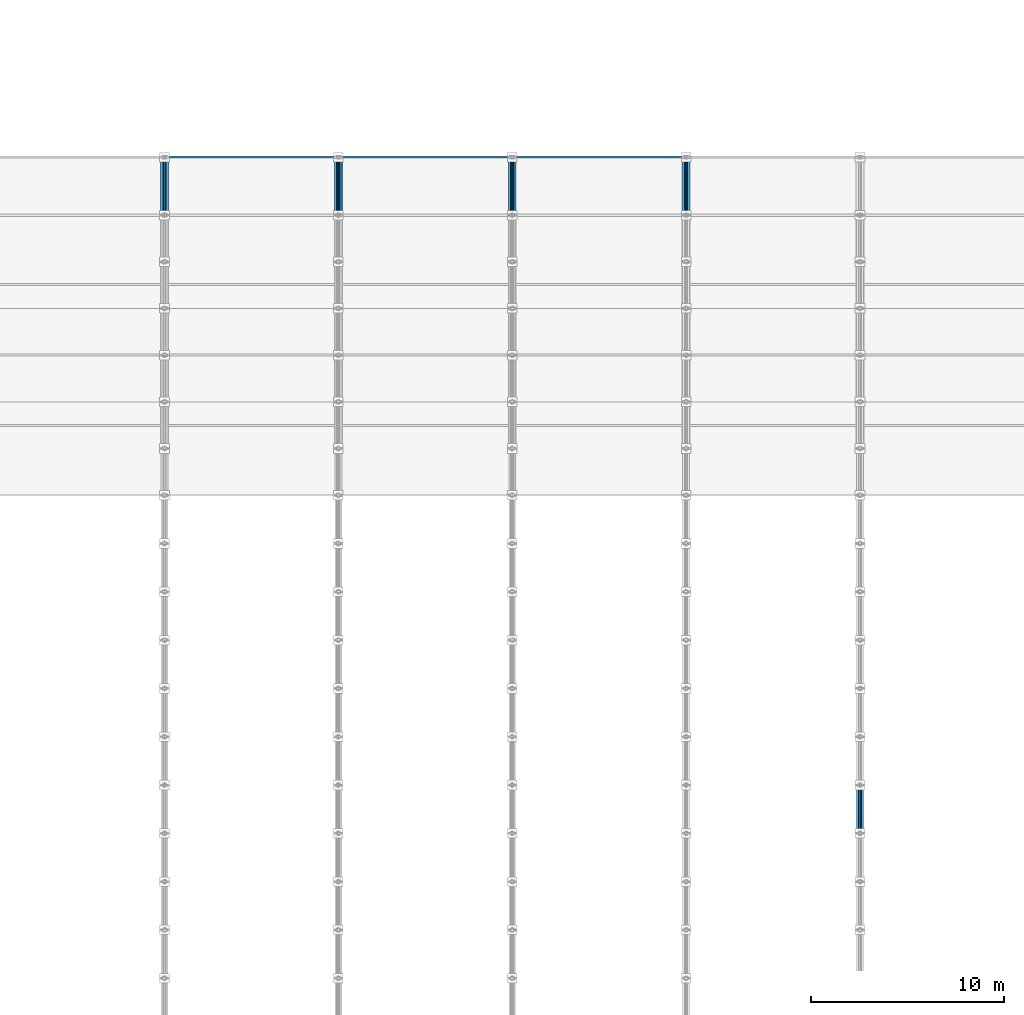
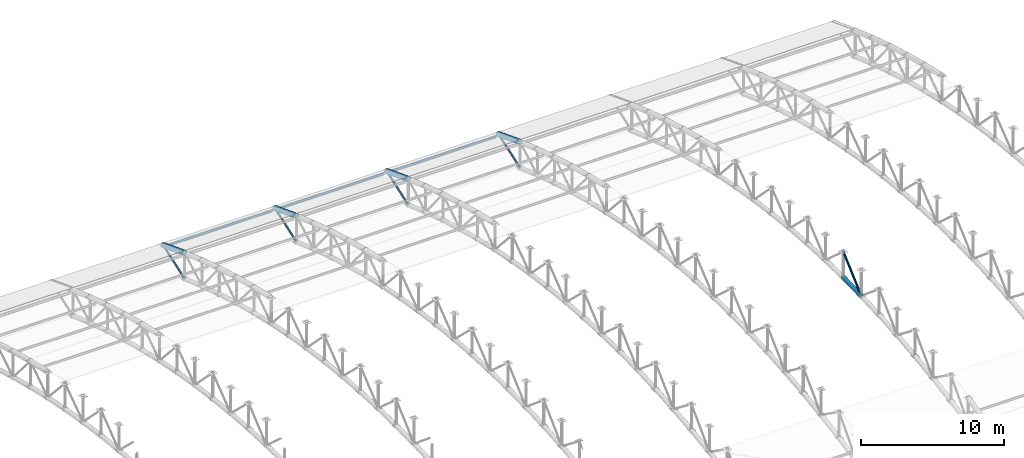
# One storey, part 87 of 195: 13 members.
"""IFC4 building model written with IfcOpenShell, lengths in metres."""

from ifc_helpers import new_model, si_unit, direction, frame, origin, origin_2d, place, context, subcontext, project, spatial, hollow_circle, i_section, extrude, material, material_profile, profile_set, type_object, element, save


model = new_model("IFC4")

# Units and contexts
model_context = context("Model", 3, precision=1e-05, world=origin(), true_north=direction((0.0, 1.0)))
body_context = subcontext(model_context, "Body", "Model", "MODEL_VIEW")
ifc_project = project(units=[si_unit("LENGTHUNIT", "METRE"), si_unit("AREAUNIT", "SQUARE_METRE"), si_unit("VOLUMEUNIT", "CUBIC_METRE"), si_unit("PLANEANGLEUNIT", "RADIAN"), si_unit("MASSUNIT", "GRAM", prefix="KILO")], contexts=[model_context])

# Site, building, storey
site_placement = place(None, origin())
site = spatial("IfcSite", under=ifc_project, at=site_placement, CompositionType="ELEMENT")
building_placement = place(site_placement, origin())
building = spatial("IfcBuilding", under=site, at=building_placement, Name="Marlcrest Central Station", CompositionType="ELEMENT")
storey_placement = place(building_placement, frame((0.0, 0.0, 9.800048828125)))
storey = spatial("IfcBuildingStorey", under=building, at=storey_placement, Name="L02", CompositionType="ELEMENT", Elevation=9.800048828125)

# Members
ifc_material = material(Name="Steel S355", Category="steel")
ifc_material_profile_1 = material_profile(ifc_material, hollow_circle(Radius=0.203125, WallThickness=0.02001953125, at=origin_2d()), Name="CHS 406.4x20")
ifc_profile_set_1 = profile_set([ifc_material_profile_1], Name="Steel S355")
member_type_1 = type_object("IfcMemberType", Name="AC-01", PredefinedType="CHORD", material=ifc_profile_set_1)
for number, where, z_axis, x_axis, name in (
    (1, (162.0, 95.5, 1.599853515625), (0.0, 0.933324071143, -0.359035065453), (-1.0, 0.0, 0.0), "mem-AC-01-L02-01420"),
    (2, (171.0, 95.5, 1.599853515625), (0.0, 0.933324071143, -0.359035065453), (-1.0, 0.0, 0.0), "mem-AC-01-L02-01536"),
    (3, (180.0, 95.5, 1.599853515625), (0.0, 0.933324071143, -0.359035065453), (-1.0, 0.0, 0.0), "mem-AC-01-L02-01652"),
    (4, (189.0, 95.5, 1.599853515625), (0.0, 0.933324071143, -0.359035065453), (-1.0, 0.0, 0.0), "mem-AC-01-L02-01768"),
):
    element("IfcMember", number, at=place(storey_placement, frame(where, z_axis=z_axis, x_axis=x_axis)), inside=storey, type_object=member_type_1, Name=name, PredefinedType="CHORD", context=body_context, shape_type="SweptSolid", body=[
        extrude(hollow_circle(Radius=0.203125, WallThickness=0.02001953125, at=origin_2d()), origin(), (0.0, 0.0, 1.0), 3.21435546875),
    ])
ifc_material_profile_2 = material_profile(ifc_material, hollow_circle(Radius=0.177734375, WallThickness=0.01611328125, at=origin_2d()), Name="CHS 355.6x16")
ifc_profile_set_2 = profile_set([ifc_material_profile_2], Name="Steel S355")
member_type_2 = type_object("IfcMemberType", Name="AC-02", PredefinedType="CHORD", material=ifc_profile_set_2)
member_1_placement = place(storey_placement, frame((198.0, 63.5, 4.76123046875), z_axis=(0.0, 0.999879472592, 0.01552547228), x_axis=(-1.0, 0.0, 0.0)))
element("IfcMember", 5, at=member_1_placement, inside=storey, type_object=member_type_2, Name="mem-AC-02-L02-01833", PredefinedType="CHORD", context=body_context, shape_type="SweptSolid", body=[
    extrude(hollow_circle(Radius=0.177734375, WallThickness=0.01611328125, at=origin_2d()), origin(), (0.0, 0.0, 1.0), 2.500244140625),
])
ifc_material_profile_3 = material_profile(ifc_material, hollow_circle(Radius=0.084228515625, WallThickness=0.010009765625, at=origin_2d()), Name="CHS 168.3x10")
ifc_profile_set_3 = profile_set([ifc_material_profile_3], Name="Steel S355")
member_type_3 = type_object("IfcMemberType", Name="AD-01", PredefinedType="BRACE", material=ifc_profile_set_3)
for number, where, z_axis, x_axis, name in (
    (6, (162.0, 95.5, -0.60009765625), (0.0, 0.944260188635, 0.329200085296), (-1.0, 0.0, 0.0), "mem-AD-01-L02-01422"),
    (7, (171.0, 95.5, -0.60009765625), (0.0, 0.944260188635, 0.329200085296), (-1.0, 0.0, 0.0), "mem-AD-01-L02-01538"),
    (8, (180.0, 95.5, -0.60009765625), (0.0, 0.944260188635, 0.329200085296), (-1.0, 0.0, 0.0), "mem-AD-01-L02-01654"),
    (9, (189.0, 95.5, -0.60009765625), (0.0, 0.944260188635, 0.329200085296), (-1.0, 0.0, 0.0), "mem-AD-01-L02-01770"),
):
    element("IfcMember", number, at=place(storey_placement, frame(where, z_axis=z_axis, x_axis=x_axis)), inside=storey, type_object=member_type_3, Name=name, PredefinedType="BRACE", context=body_context, shape_type="SweptSolid", body=[
        extrude(hollow_circle(Radius=0.084228515625, WallThickness=0.010009765625, at=origin_2d()), origin(), (0.0, 0.0, 1.0), 3.177001953125),
    ])
member_2_placement = place(storey_placement, frame((198.0, 63.5, 4.76123046875), z_axis=(0.0, 0.744955843007, 0.66711377738), x_axis=(-1.0, 0.0, 0.0)))
element("IfcMember", 10, at=member_2_placement, inside=storey, type_object=member_type_3, Name="mem-AD-01-L02-01835", PredefinedType="BRACE", context=body_context, shape_type="SweptSolid", body=[
    extrude(hollow_circle(Radius=0.084228515625, WallThickness=0.010009765625, at=origin_2d()), origin(), (0.0, 0.0, 1.0), 3.35595703125),
])
ifc_material_profile_4 = material_profile(ifc_material, i_section(OverallWidth=0.10009765625, OverallDepth=0.199951171875, WebThickness=0.005615234375, FlangeThickness=0.008544921875, FilletRadius=0.011962890625, at=origin_2d()), Name="IPE 200")
ifc_profile_set_4 = profile_set([ifc_material_profile_4], Name="Steel S355")
member_type_4 = type_object("IfcMemberType", Name="PR-01", PredefinedType="PURLIN", material=ifc_profile_set_4)
for number, where, z_axis, x_axis, name in (
    (11, (162.179931640625, 98.5, 0.3056640625), (1.0, 0.0, 0.0), (0.0, 1.0, 0.0), "mem-PR-01-L02-01437"),
    (12, (171.179931640625, 98.5, 0.3056640625), (1.0, 0.0, 0.0), (0.0, 1.0, 0.0), "mem-PR-01-L02-01553"),
    (13, (180.179931640625, 98.5, 0.3056640625), (1.0, 0.0, 0.0), (0.0, 1.0, 0.0), "mem-PR-01-L02-01669"),
):
    element("IfcMember", number, at=place(storey_placement, frame(where, z_axis=z_axis, x_axis=x_axis)), inside=storey, type_object=member_type_4, Name=name, PredefinedType="PURLIN", context=body_context, shape_type="SweptSolid", body=[
        extrude(i_section(OverallWidth=0.10009765625, OverallDepth=0.199951171875, WebThickness=0.005615234375, FlangeThickness=0.008544921875, FilletRadius=0.011962890625, at=origin_2d()), origin(), (0.0, 0.0, 1.0), 8.64013671875),
    ])

save(model, "model.ifc")
